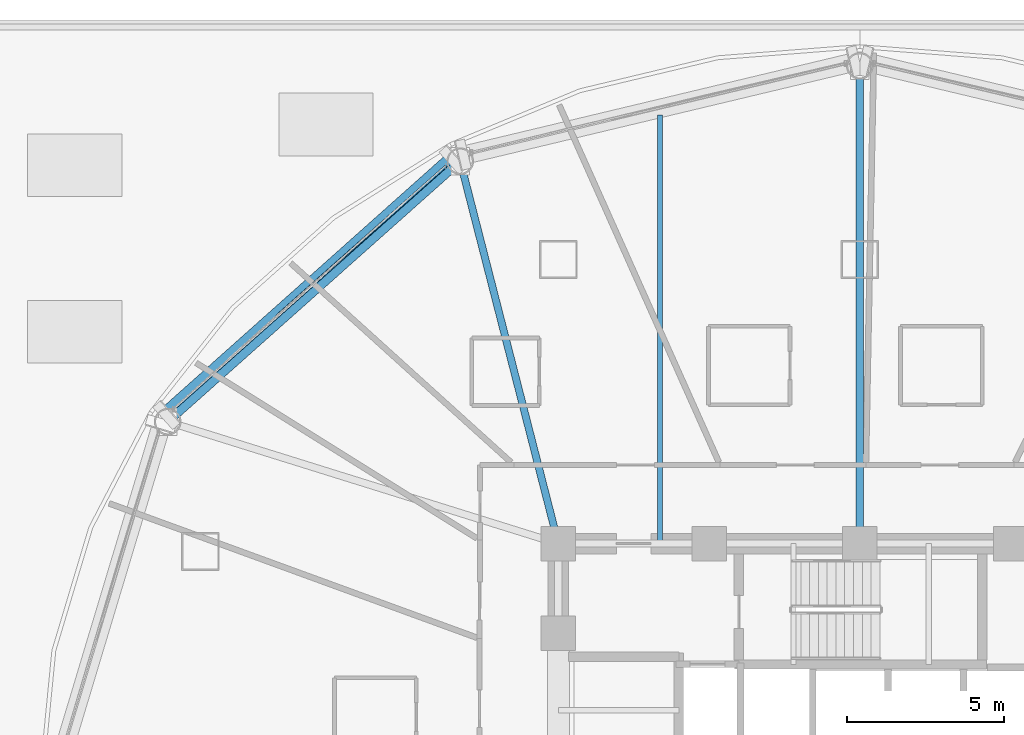
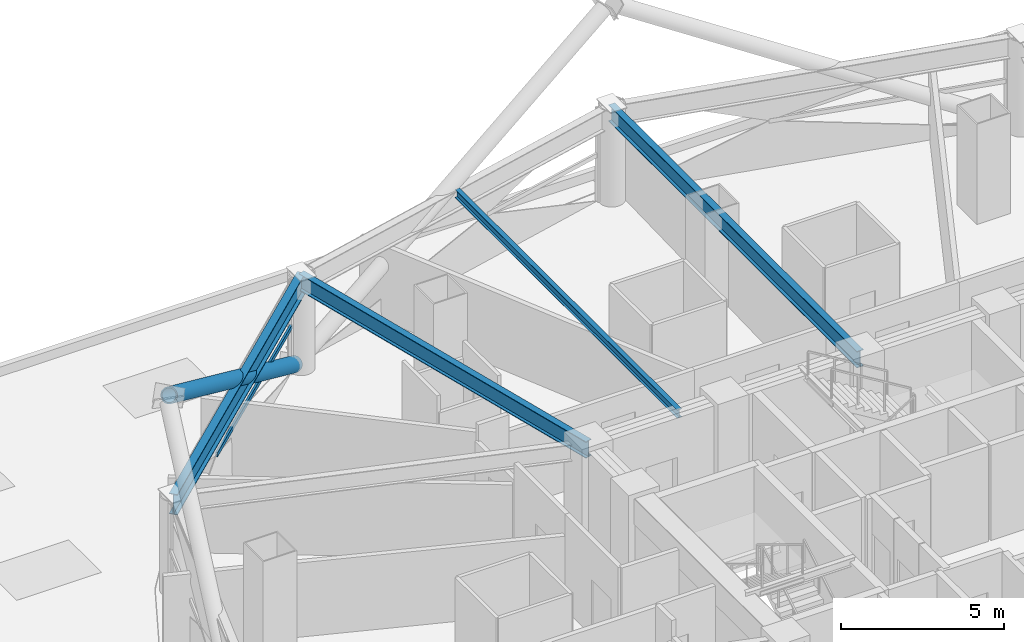
# One storey, part 13 of 27: 4 beams, 2 members, 1 element without a shape of its own.
"""IFC4 building model written with IfcOpenShell, lengths in metres."""

from ifc_helpers import new_model, si_unit, direction, frame, origin, origin_2d, place, context, subcontext, project, spatial, hollow_rectangle, hollow_circle, i_section, extrude, material, layer, layer_set, material_profile, profile_set, type_object, element, aggregate, save


model = new_model("IFC4")

# Units and contexts
model_context = context("Model", 3, precision=1e-05, world=origin(), true_north=direction((0.0, 1.0)))
body_context = subcontext(model_context, "Body", "Model", "MODEL_VIEW")
ifc_project = project(units=[si_unit("LENGTHUNIT", "METRE"), si_unit("AREAUNIT", "SQUARE_METRE"), si_unit("VOLUMEUNIT", "CUBIC_METRE"), si_unit("PLANEANGLEUNIT", "RADIAN"), si_unit("MASSUNIT", "GRAM", prefix="KILO")], contexts=[model_context])

# Site, building, storey
site_placement = place(None, origin())
site = spatial("IfcSite", under=ifc_project, at=site_placement, CompositionType="ELEMENT")
building_placement = place(site_placement, origin())
building = spatial("IfcBuilding", under=site, at=building_placement, Name="Vantalir Tower", CompositionType="ELEMENT")
storey_placement = place(building_placement, frame((0.0, 0.0, 27.0)))
storey = spatial("IfcBuildingStorey", under=building, at=storey_placement, Name="L05", CompositionType="ELEMENT", Elevation=27.0)

# Beams
ifc_material_1 = material(Name="Steel S355", Category="steel")
ifc_material_profile_1 = material_profile(ifc_material_1, i_section(OverallWidth=0.166015625, OverallDepth=0.306884765625, WebThickness=0.006591796875, FlangeThickness=0.01171875, at=origin_2d()), Name="Steel S355")
ifc_profile_set_1 = profile_set([ifc_material_profile_1], Name="Steel S355")
beam_type_1 = type_object("IfcBeamType", Name="BM-JS-305x165", PredefinedType="JOIST", material=ifc_profile_set_1)
beam_1_placement = place(storey_placement, frame((25.137939453125, 46.10107421875, 3.416015625), z_axis=(0.0, -1.0, 0.0), x_axis=(1.0, 0.0, 0.0)))
element("IfcBeam", 1, at=beam_1_placement, inside=storey, type_object=beam_type_1, Name="L05 Composite Trim Joist 01", PredefinedType="JOIST", context=body_context, shape_type="SweptSolid", body=[
    extrude(i_section(OverallWidth=0.166015625, OverallDepth=0.306884765625, WebThickness=0.006591796875, FlangeThickness=0.01171875, at=origin_2d()), origin(), (0.0, 0.0, 1.0), 13.60595703125),
])
ifc_material_profile_2 = material_profile(ifc_material_1, i_section(OverallWidth=0.22998046875, OverallDepth=0.616943359375, WebThickness=0.01318359375, FlangeThickness=0.022216796875, at=origin_2d()), Name="Steel S355")
ifc_profile_set_2 = profile_set([ifc_material_profile_2], Name="Steel S355")
beam_type_2 = type_object("IfcBeamType", Name="BM-RB-610x229", PredefinedType="BEAM", material=ifc_profile_set_2)
beam_2_placement = place(storey_placement, frame((31.5, 47.6640625, 3.261962890625), z_axis=(0.0, -1.0, 0.0), x_axis=(1.0, 0.0, 0.0)))
element("IfcBeam", 2, at=beam_2_placement, inside=storey, type_object=beam_type_2, Name="L05 Radial Floor Beam 04", PredefinedType="BEAM", context=body_context, shape_type="SweptSolid", body=[
    extrude(i_section(OverallWidth=0.22998046875, OverallDepth=0.616943359375, WebThickness=0.01318359375, FlangeThickness=0.022216796875, at=origin_2d()), origin(), (0.0, 0.0, 1.0), 15.214111328125),
])
beam_3_placement = place(storey_placement, frame((18.77490234375, 44.6279296875, 3.261962890625), z_axis=(0.248557552091, -0.968617129365, 0.0), x_axis=(0.968617129365, 0.248557552091, 0.0)))
element("IfcBeam", 3, at=beam_3_placement, inside=storey, type_object=beam_type_2, Name="L05 Radial Floor Beam 05", PredefinedType="BEAM", context=body_context, shape_type="SweptSolid", body=[
    extrude(i_section(OverallWidth=0.22998046875, OverallDepth=0.616943359375, WebThickness=0.01318359375, FlangeThickness=0.022216796875, at=origin_2d()), origin(), (0.0, 0.0, 1.0), 12.572509765625),
])
ifc_material_2 = material(Name="Steel S460", Category="steel")
ifc_material_profile_3 = material_profile(ifc_material_2, i_section(OverallWidth=0.26806640625, OverallDepth=0.77001953125, WebThickness=0.015625, FlangeThickness=0.025390625, at=origin_2d()), Name="Steel S460")
ifc_profile_set_3 = profile_set([ifc_material_profile_3], Name="Steel S460")
beam_type_3 = type_object("IfcBeamType", Name="BM-RG-762x267", PredefinedType="USERDEFINED", material=ifc_profile_set_3)
beam_4_placement = place(storey_placement, frame((18.77490234375, 44.6279296875, 3.18505859375), z_axis=(-0.746774014303, -0.665077868795, 0.0), x_axis=(0.665077868795, -0.746774014303, 0.0)))
element("IfcBeam", 4, at=beam_4_placement, inside=storey, type_object=beam_type_3, Name="L05 Circumferential Ring Girder 05", ObjectType="GIRDER", PredefinedType="USERDEFINED", context=body_context, shape_type="SweptSolid", body=[
    extrude(i_section(OverallWidth=0.26806640625, OverallDepth=0.77001953125, WebThickness=0.015625, FlangeThickness=0.025390625, at=origin_2d()), origin(), (0.0, 0.0, 1.0), 12.4736328125),
])

# Curtain wall, member
ifc_material_3 = material(Name="Champagne-silver PVDF aluminium and double-silver Low-E glass", Category="aluminium")
ifc_layer = layer(ifc_material_3, 0.18994140625)
ifc_layer_set = layer_set([ifc_layer], Name="Champagne-silver PVDF aluminium and double-silver Low-E glass")
curtain_wall_type = type_object("IfcCurtainWallType", Name="CW-DIAMOND-Z1", PredefinedType="USERDEFINED", material=ifc_layer_set)
curtain_wall_placement = place(storey_placement, origin())
curtain_wall = element("IfcCurtainWall", 5, at=curtain_wall_placement, inside=storey, type_object=curtain_wall_type, Name="L05 Quilted Pyramid-Diamond Curtain Wall S05", ObjectType="UNITISED CURTAIN WALL", PredefinedType="USERDEFINED")
ifc_material_4 = material(Name="Champagne-silver PVDF aluminium 6063-T6", Category="aluminium")
ifc_material_profile_4 = material_profile(ifc_material_4, hollow_rectangle(XDim=0.074951171875, YDim=0.159912109375, WallThickness=0.00390625, at=origin_2d()), Name="Champagne-silver PVDF aluminium 6063-T6")
ifc_profile_set_4 = profile_set([ifc_material_profile_4], Name="Champagne-silver PVDF aluminium 6063-T6")
member_type_1 = type_object("IfcMemberType", Name="CWT-160x75", PredefinedType="USERDEFINED", material=ifc_profile_set_4)
member_1_placement = place(storey_placement, frame((18.3291015625, 44.47900390625, 1.784912109375), z_axis=(-0.748709088979, -0.662898710272, 0.0), x_axis=(0.662898710272, -0.748709088979, 0.0)))
member_1 = element("IfcMember", 6, at=member_1_placement, type_object=member_type_1, Name="CW-L05-S05 Pyramid Fold Ridge Transom", ObjectType="TRANSOM", PredefinedType="USERDEFINED", context=body_context, shape_type="SweptSolid", body=[
    extrude(hollow_rectangle(XDim=0.074951171875, YDim=0.159912109375, WallThickness=0.00390625, at=origin_2d()), origin(), (0.0, 0.0, 1.0), 7.21533203125),
])
aggregate(curtain_wall, [member_1])

# Member
ifc_material_profile_5 = material_profile(ifc_material_2, hollow_circle(Radius=0.27001953125, WallThickness=0.044921875, at=origin_2d()), Name="Steel S460")
ifc_profile_set_5 = profile_set([ifc_material_profile_5], Name="Steel S460")
member_type_2 = type_object("IfcMemberType", Name="MEM-DB-540x45", PredefinedType="BRACE", material=ifc_profile_set_5)
member_2_placement = place(storey_placement, frame((18.537109375, 44.6650390625, 0.18896484375), z_axis=(-0.648652807467, -0.578218197544, 0.494887109748), x_axis=(0.665416140811, -0.746472611385, 0.0)))
element("IfcMember", 7, at=member_2_placement, inside=storey, type_object=member_type_2, Name="L05 Perimeter S460 Diagrid Brace R13L", PredefinedType="BRACE", context=body_context, shape_type="SweptSolid", body=[
    extrude(hollow_circle(Radius=0.27001953125, WallThickness=0.044921875, at=origin_2d()), origin(), (0.0, 0.0, 1.0), 14.02783203125),
])

save(model, "model.ifc")
